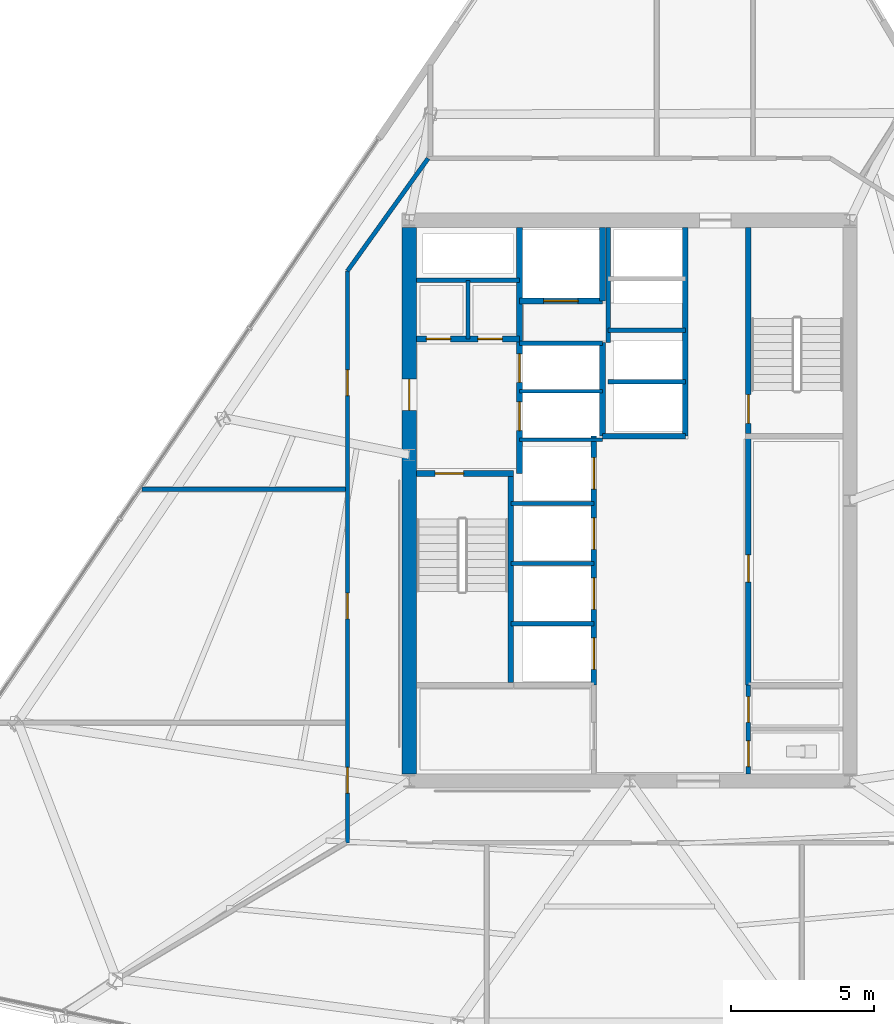
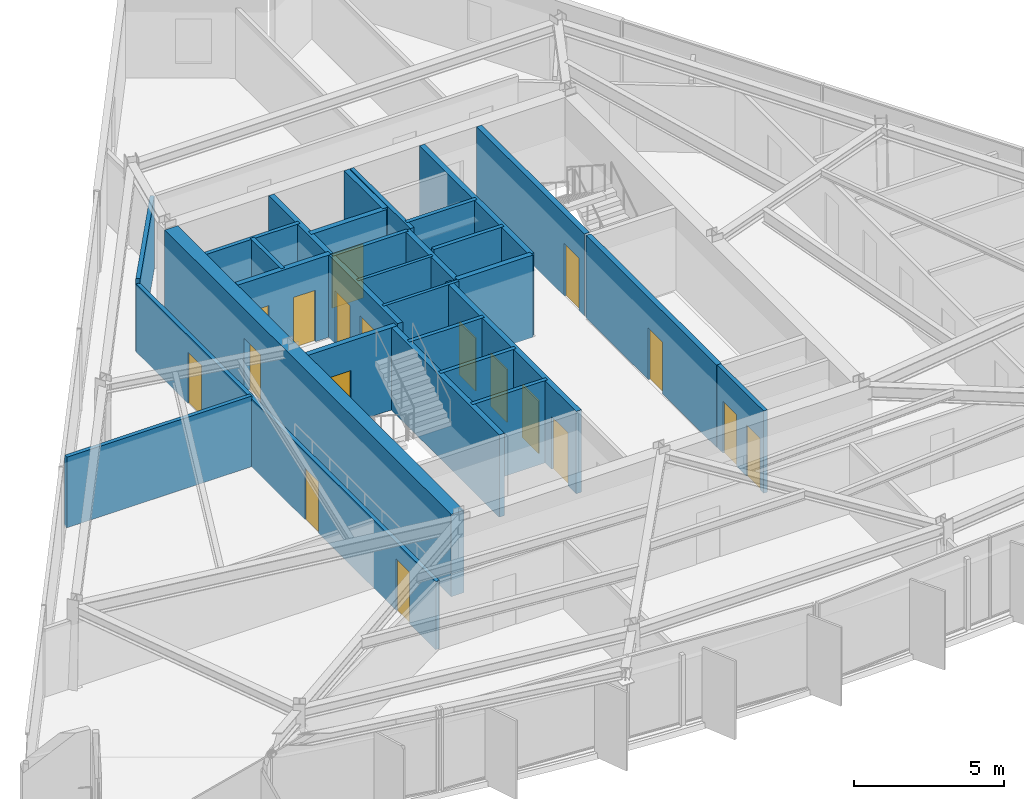
# One storey, part 8 of 15: 28 walls, 18 doors, 18 openings.
"""IFC4 building model written with IfcOpenShell, lengths in metres."""

from ifc_helpers import new_model, si_unit, direction, frame, frame_2d, origin, place, context, subcontext, project, spatial, rectangle, extrude, material, layer, layer_set, type_object, element, fill, save


model = new_model("IFC4")

# Units and contexts
model_context = context("Model", 3, precision=1e-05, world=origin(), true_north=direction((0.0, 1.0)))
body_context = subcontext(model_context, "Body", "Model", "MODEL_VIEW")
ifc_project = project(units=[si_unit("LENGTHUNIT", "METRE"), si_unit("AREAUNIT", "SQUARE_METRE"), si_unit("VOLUMEUNIT", "CUBIC_METRE"), si_unit("PLANEANGLEUNIT", "RADIAN"), si_unit("MASSUNIT", "GRAM", prefix="KILO")], contexts=[model_context])

# Site, building, storey
site_placement = place(None, origin())
site = spatial("IfcSite", under=ifc_project, at=site_placement, CompositionType="ELEMENT")
building_placement = place(site_placement, origin())
building = spatial("IfcBuilding", under=site, at=building_placement, Name="Savorim Split Tower", CompositionType="ELEMENT")
storey_placement = place(building_placement, frame((0.0, 0.0, 145.800048828125)))
storey = spatial("IfcBuildingStorey", under=building, at=storey_placement, Name="L38", CompositionType="ELEMENT", Elevation=145.800048828125)

# Wall, opening, door
ifc_material_1 = material(Name="Concrete C60/75", Category="concrete")
ifc_layer_1 = layer(ifc_material_1, 0.5)
ifc_layer_set_1 = layer_set([ifc_layer_1], Name="WAL-COR-SH500")
wall_type_1 = type_object("IfcWallType", Name="WAL-COR-SH500", PredefinedType="SHEAR", material=ifc_layer_set_1)
wall_1_placement = place(storey_placement, frame((-7.699951171875, -9.14990234375, 0.0), z_axis=(0.0, 0.0, 1.0), x_axis=(0.0, 1.0, 0.0)))
wall_1 = element("IfcWall", 1, at=wall_1_placement, inside=storey, type_object=wall_type_1, Name="L38 Offset Core West Shear Wall", PredefinedType="SHEAR", context=body_context, shape_type="SweptSolid", body=[
    extrude(rectangle(XDim=19.099853515625, YDim=0.5, at=frame_2d((9.5498046875, 0.0))), origin(), (0.0, 0.0, 1.0), 3.349853515625),
])
opening_1_placement = place(wall_1_placement, frame((12.699951171875, 0.0, 0.0)))
opening_1 = element("IfcOpeningElement", 2, at=opening_1_placement, cuts=wall_1, Name="Opening DI-03", PredefinedType="OPENING", context=body_context, shape_type="SweptSolid", body=[
    extrude(rectangle(XDim=1.10009765625, YDim=2.14990234375, at=frame_2d((0.550048828125, 1.074951171875))), frame((0.0, 0.260009765625, 0.0), z_axis=(0.0, -1.0, 0.0), x_axis=(1.0, 0.0, 0.0)), (0.0, 0.0, 1.0), 0.52001953125),
])
ifc_material_2 = material(Name="Timber Fire Door Leaf", Category="wood")
door_type_1 = type_object("IfcDoorType", Name="DOR-FIR-1100", OperationType="NOTDEFINED", PredefinedType="DOOR", material=ifc_material_2)
door_1_placement = place(opening_1_placement, origin())
door_1 = element("IfcDoor", 3, at=door_1_placement, inside=storey, type_object=door_type_1, Name="DOR-L38-COR-FFLOB - L38 Firefighting Lobby Corridor Door", OperationType="SINGLE_SWING_RIGHT", OverallHeight=2.14990234375, OverallWidth=1.10009765625, PredefinedType="DOOR", context=body_context, shape_type="SweptSolid", body=[
    extrude(rectangle(XDim=1.10009765625, YDim=2.14990234375, at=frame_2d((0.550048828125, 1.074951171875))), frame((0.0, 0.02490234375, 0.0), z_axis=(0.0, -1.0, 0.0), x_axis=(1.0, 0.0, 0.0)), (0.0, 0.0, 1.0), 0.050048828125),
])
fill(opening_1, door_1)

ifc_material_3 = material(Name="Concrete C50/60", Category="concrete")
ifc_layer_2 = layer(ifc_material_3, 0.199951171875)
ifc_layer_set_2 = layer_set([ifc_layer_2], Name="WAL-INT-RC200")
wall_type_2 = type_object("IfcWallType", Name="WAL-INT-RC200", PredefinedType="SOLIDWALL", material=ifc_layer_set_2)
wall_2_placement = place(storey_placement, frame((-7.449951171875, 1.35009765625, 0.0), z_axis=(0.0, 0.0, 1.0), x_axis=(1.0, 0.0, 0.0)))
wall_2 = element("IfcWall", 4, at=wall_2_placement, inside=storey, type_object=wall_type_2, Name="L38 Structural Shaft Wall W-L38-CR01", PredefinedType="SOLIDWALL", context=body_context, shape_type="SweptSolid", body=[
    extrude(rectangle(XDim=3.39990234375, YDim=0.199951171875, at=frame_2d((1.699951171875, 0.0))), origin(), (0.0, 0.0, 1.0), 3.349853515625),
])
opening_2_placement = place(wall_2_placement, frame((0.64990234375, 0.0, 0.0)))
opening_2 = element("IfcOpeningElement", 5, at=opening_2_placement, cuts=wall_2, Name="Opening DI-04", PredefinedType="OPENING", context=body_context, shape_type="SweptSolid", body=[
    extrude(rectangle(XDim=1.0, YDim=2.14990234375, at=frame_2d((0.5, 1.074951171875))), frame((0.0, 0.10986328125, 0.0), z_axis=(0.0, -1.0, 0.0), x_axis=(1.0, 0.0, 0.0)), (0.0, 0.0, 1.0), 0.219970703125),
])
door_type_2 = type_object("IfcDoorType", Name="DOR-FIR-1000", OperationType="NOTDEFINED", PredefinedType="DOOR", material=ifc_material_2)
door_2_placement = place(opening_2_placement, origin())
door_2 = element("IfcDoor", 6, at=door_2_placement, inside=storey, type_object=door_type_2, Name="DR-L38-ST1 - L38 Stair ST-1 Enclosure Door", OperationType="SINGLE_SWING_LEFT", OverallHeight=2.14990234375, OverallWidth=1.0, PredefinedType="DOOR", context=body_context, shape_type="SweptSolid", body=[
    extrude(rectangle(XDim=1.0, YDim=2.14990234375, at=frame_2d((0.5, 1.074951171875))), frame((0.0, 0.02490234375, 0.0), z_axis=(0.0, -1.0, 0.0), x_axis=(1.0, 0.0, 0.0)), (0.0, 0.0, 1.0), 0.050048828125),
])
fill(opening_2, door_2)

# Wall
wall_3_placement = place(storey_placement, frame((-4.14990234375, -5.949951171875, 0.0), z_axis=(0.0, 0.0, 1.0), x_axis=(0.0, 1.0, 0.0)))
element("IfcWall", 7, at=wall_3_placement, inside=storey, type_object=wall_type_2, Name="L38 Structural Shaft Wall W-L38-CR02", PredefinedType="SOLIDWALL", context=body_context, shape_type="SweptSolid", body=[
    extrude(rectangle(XDim=7.199951171875, YDim=0.199951171875, at=frame_2d((3.60009765625, 0.0))), origin(), (0.0, 0.0, 1.0), 3.349853515625),
])

# Wall, openings, doors
wall_4_placement = place(storey_placement, frame((-3.85009765625, 1.35009765625, 0.0), z_axis=(0.0, 0.0, 1.0), x_axis=(0.0, 1.0, 0.0)))
wall_4 = element("IfcWall", 8, at=wall_4_placement, inside=storey, type_object=wall_type_2, Name="L38 Partition W-L38-CR03", PredefinedType="SOLIDWALL", context=body_context, shape_type="SweptSolid", body=[
    extrude(rectangle(XDim=8.594970703125, YDim=0.199951171875, at=frame_2d((4.29736328125, 0.0))), origin(), (0.0, 0.0, 1.0), 3.349853515625),
])
opening_3_placement = place(wall_4_placement, frame((1.5, 0.0, 0.0)))
opening_3 = element("IfcOpeningElement", 9, at=opening_3_placement, cuts=wall_4, Name="Opening LD-FFL", PredefinedType="OPENING", context=body_context, shape_type="SweptSolid", body=[
    extrude(rectangle(XDim=1.0, YDim=2.14990234375, at=frame_2d((0.5, 1.074951171875))), frame((0.0, 0.10986328125, 0.0), z_axis=(0.0, -1.0, 0.0), x_axis=(1.0, 0.0, 0.0)), (0.0, 0.0, 1.0), 0.219970703125),
])
opening_4_placement = place(wall_4_placement, frame((3.179931640625, 0.0, 0.0)))
opening_4 = element("IfcOpeningElement", 10, at=opening_4_placement, cuts=wall_4, Name="Opening LD-FFL", PredefinedType="OPENING", context=body_context, shape_type="SweptSolid", body=[
    extrude(rectangle(XDim=1.0, YDim=2.14990234375, at=frame_2d((0.5, 1.074951171875))), frame((0.0, 0.10986328125, 0.0), z_axis=(0.0, -1.0, 0.0), x_axis=(1.0, 0.0, 0.0)), (0.0, 0.0, 1.0), 0.219970703125),
])
ifc_material_4 = material(Name="Charcoal Anodised Aluminium", Category="aluminium")
door_type_3 = type_object("IfcDoorType", Name="DOR-SLD-LD1000", OperationType="NOTDEFINED", PredefinedType="DOOR", material=ifc_material_4)
door_3_placement = place(opening_3_placement, origin())
door_3 = element("IfcDoor", 11, at=door_3_placement, inside=storey, type_object=door_type_3, Name="DR-L38-LD-FFL1 - L38 Firefighting Lift FFL-1 Sliding Landing Door", OperationType="DOUBLE_DOOR_SLIDING", OverallHeight=2.14990234375, OverallWidth=1.0, PredefinedType="DOOR", context=body_context, shape_type="SweptSolid", body=[
    extrude(rectangle(XDim=1.0, YDim=2.14990234375, at=frame_2d((0.5, 1.074951171875))), frame((0.0, 0.02490234375, 0.0), z_axis=(0.0, -1.0, 0.0), x_axis=(1.0, 0.0, 0.0)), (0.0, 0.0, 1.0), 0.050048828125),
])
fill(opening_3, door_3)
door_4_placement = place(opening_4_placement, origin())
door_4 = element("IfcDoor", 12, at=door_4_placement, inside=storey, type_object=door_type_3, Name="DR-L38-LD-FFL2 - L38 Firefighting Lift FFL-2 Sliding Landing Door", OperationType="DOUBLE_DOOR_SLIDING", OverallHeight=2.14990234375, OverallWidth=1.0, PredefinedType="DOOR", context=body_context, shape_type="SweptSolid", body=[
    extrude(rectangle(XDim=1.0, YDim=2.14990234375, at=frame_2d((0.5, 1.074951171875))), frame((0.0, 0.02490234375, 0.0), z_axis=(0.0, -1.0, 0.0), x_axis=(1.0, 0.0, 0.0)), (0.0, 0.0, 1.0), 0.050048828125),
])
fill(opening_4, door_4)

wall_5_placement = place(storey_placement, frame((-7.445068359375, 6.050048828125, 0.0), z_axis=(0.0, 0.0, 1.0), x_axis=(1.0, 0.0, 0.0)))
wall_5 = element("IfcWall", 13, at=wall_5_placement, inside=storey, type_object=wall_type_2, Name="L38 Partition W-L38-CR04", PredefinedType="SOLIDWALL", context=body_context, shape_type="SweptSolid", body=[
    extrude(rectangle(XDim=3.594970703125, YDim=0.199951171875, at=frame_2d((1.79736328125, 0.0))), origin(), (0.0, 0.0, 1.0), 3.349853515625),
])
opening_5_placement = place(wall_5_placement, frame((0.344970703125, 0.0, 0.0)))
opening_5 = element("IfcOpeningElement", 14, at=opening_5_placement, cuts=wall_5, Name="Opening DI-12", PredefinedType="OPENING", context=body_context, shape_type="SweptSolid", body=[
    extrude(rectangle(XDim=0.85009765625, YDim=2.10009765625, at=frame_2d((0.425048828125, 1.050048828125))), frame((0.0, 0.10986328125, 0.0), z_axis=(0.0, -1.0, 0.0), x_axis=(1.0, 0.0, 0.0)), (0.0, 0.0, 1.0), 0.219970703125),
])
opening_6_placement = place(wall_5_placement, frame((2.14501953125, 0.0, 0.0)))
opening_6 = element("IfcOpeningElement", 15, at=opening_6_placement, cuts=wall_5, Name="Opening DI-12", PredefinedType="OPENING", context=body_context, shape_type="SweptSolid", body=[
    extrude(rectangle(XDim=0.85009765625, YDim=2.10009765625, at=frame_2d((0.425048828125, 1.050048828125))), frame((0.0, 0.10986328125, 0.0), z_axis=(0.0, -1.0, 0.0), x_axis=(1.0, 0.0, 0.0)), (0.0, 0.0, 1.0), 0.219970703125),
])
ifc_material_5 = material(Name="Galvanised Painted Steel Balustrade", Category="steel")
door_type_4 = type_object("IfcDoorType", Name="DOR-RIS-850", OperationType="NOTDEFINED", PredefinedType="DOOR", material=ifc_material_5)
door_5_placement = place(opening_5_placement, origin())
door_5 = element("IfcDoor", 16, at=door_5_placement, inside=storey, type_object=door_type_4, Name="DR-L38-ELR - L38 Electrical Riser Access Door", OperationType="SINGLE_SWING_RIGHT", OverallHeight=2.10009765625, OverallWidth=0.85009765625, PredefinedType="DOOR", context=body_context, shape_type="SweptSolid", body=[
    extrude(rectangle(XDim=0.85009765625, YDim=2.10009765625, at=frame_2d((0.425048828125, 1.050048828125))), frame((0.0, 0.02490234375, 0.0), z_axis=(0.0, -1.0, 0.0), x_axis=(1.0, 0.0, 0.0)), (0.0, 0.0, 1.0), 0.050048828125),
])
fill(opening_5, door_5)
door_6_placement = place(opening_6_placement, origin())
door_6 = element("IfcDoor", 17, at=door_6_placement, inside=storey, type_object=door_type_4, Name="DR-L38-TLR - L38 Telecom Riser Access Door", OperationType="SINGLE_SWING_LEFT", OverallHeight=2.10009765625, OverallWidth=0.85009765625, PredefinedType="DOOR", context=body_context, shape_type="SweptSolid", body=[
    extrude(rectangle(XDim=0.85009765625, YDim=2.10009765625, at=frame_2d((0.425048828125, 1.050048828125))), frame((0.0, 0.02490234375, 0.0), z_axis=(0.0, -1.0, 0.0), x_axis=(1.0, 0.0, 0.0)), (0.0, 0.0, 1.0), 0.050048828125),
])
fill(opening_6, door_6)

# Wall, opening, door
wall_6_placement = place(storey_placement, frame((4.14990234375, 2.75, 0.0), z_axis=(0.0, 0.0, 1.0), x_axis=(0.0, 1.0, 0.0)))
wall_6 = element("IfcWall", 18, at=wall_6_placement, inside=storey, type_object=wall_type_2, Name="L38 Structural Shaft Wall W-L38-CR07", PredefinedType="SOLIDWALL", context=body_context, shape_type="SweptSolid", body=[
    extrude(rectangle(XDim=7.199951171875, YDim=0.199951171875, at=frame_2d((3.60009765625, 0.0))), origin(), (0.0, 0.0, 1.0), 3.349853515625),
])
opening_7_placement = place(wall_6_placement, frame((0.35009765625, 0.0, 0.0)))
opening_7 = element("IfcOpeningElement", 19, at=opening_7_placement, cuts=wall_6, Name="Opening DI-04", PredefinedType="OPENING", context=body_context, shape_type="SweptSolid", body=[
    extrude(rectangle(XDim=1.0, YDim=2.14990234375, at=frame_2d((0.5, 1.074951171875))), frame((0.0, 0.10986328125, 0.0), z_axis=(0.0, -1.0, 0.0), x_axis=(1.0, 0.0, 0.0)), (0.0, 0.0, 1.0), 0.219970703125),
])
door_7_placement = place(opening_7_placement, origin())
door_7 = element("IfcDoor", 20, at=door_7_placement, inside=storey, type_object=door_type_2, Name="DR-L38-ST2 - L38 Stair ST-2 Enclosure Door", OperationType="SINGLE_SWING_RIGHT", OverallHeight=2.14990234375, OverallWidth=1.0, PredefinedType="DOOR", context=body_context, shape_type="SweptSolid", body=[
    extrude(rectangle(XDim=1.0, YDim=2.14990234375, at=frame_2d((0.5, 1.074951171875))), frame((0.0, 0.02490234375, 0.0), z_axis=(0.0, -1.0, 0.0), x_axis=(1.0, 0.0, 0.0)), (0.0, 0.0, 1.0), 0.050048828125),
])
fill(opening_7, door_7)

# Wall
wall_7_placement = place(storey_placement, frame((-0.949951171875, 2.64990234375, 0.0), z_axis=(0.0, 0.0, 1.0), x_axis=(0.0, 1.0, 0.0)))
element("IfcWall", 21, at=wall_7_placement, inside=storey, type_object=wall_type_2, Name="L38 Partition W-L38-FFLW", PredefinedType="SOLIDWALL", context=body_context, shape_type="SweptSolid", body=[
    extrude(rectangle(XDim=3.27001953125, YDim=0.199951171875, at=frame_2d((1.635009765625, 0.0))), origin(), (0.0, 0.0, 1.0), 3.349853515625),
])

# Wall, opening, door
wall_8_placement = place(storey_placement, frame((-3.85009765625, 7.3798828125, 0.0), z_axis=(0.0, 0.0, 1.0), x_axis=(1.0, 0.0, 0.0)))
wall_8 = element("IfcWall", 22, at=wall_8_placement, inside=storey, type_object=wall_type_2, Name="L38 Partition W-L38-SVLS", PredefinedType="SOLIDWALL", context=body_context, shape_type="SweptSolid", body=[
    extrude(rectangle(XDim=2.900146484375, YDim=0.199951171875, at=frame_2d((1.4501953125, 0.0))), origin(), (0.0, 0.0, 1.0), 3.349853515625),
])
opening_8_placement = place(wall_8_placement, frame((0.85009765625, 0.0, 0.0)))
opening_8 = element("IfcOpeningElement", 23, at=opening_8_placement, cuts=wall_8, Name="Opening LD-SV", PredefinedType="OPENING", context=body_context, shape_type="SweptSolid", body=[
    extrude(rectangle(XDim=1.199951171875, YDim=2.199951171875, at=frame_2d((0.60009765625, 1.10009765625))), frame((0.0, 0.10986328125, 0.0), z_axis=(0.0, -1.0, 0.0), x_axis=(1.0, 0.0, 0.0)), (0.0, 0.0, 1.0), 0.219970703125),
])
door_type_5 = type_object("IfcDoorType", Name="DOR-SLD-SV1200", OperationType="NOTDEFINED", PredefinedType="DOOR", material=ifc_material_4)
door_8_placement = place(opening_8_placement, origin())
door_8 = element("IfcDoor", 24, at=door_8_placement, inside=storey, type_object=door_type_5, Name="DR-L38-LD-SVL1 - L38 Service Lift SVL-1 Sliding Landing Door", OperationType="DOUBLE_DOOR_SLIDING", OverallHeight=2.199951171875, OverallWidth=1.199951171875, PredefinedType="DOOR", context=body_context, shape_type="SweptSolid", body=[
    extrude(rectangle(XDim=1.199951171875, YDim=2.199951171875, at=frame_2d((0.60009765625, 1.10009765625))), frame((0.0, 0.02490234375, 0.0), z_axis=(0.0, -1.0, 0.0), x_axis=(1.0, 0.0, 0.0)), (0.0, 0.0, 1.0), 0.050048828125),
])
fill(opening_8, door_8)

# Wall
wall_9_placement = place(storey_placement, frame((-0.949951171875, 7.3798828125, 0.0), z_axis=(0.0, 0.0, 1.0), x_axis=(0.0, 1.0, 0.0)))
element("IfcWall", 25, at=wall_9_placement, inside=storey, type_object=wall_type_2, Name="L38 Partition W-L38-SVLE", PredefinedType="SOLIDWALL", context=body_context, shape_type="SweptSolid", body=[
    extrude(rectangle(XDim=2.565185546875, YDim=0.199951171875, at=frame_2d((1.28271484375, 0.0))), origin(), (0.0, 0.0, 1.0), 3.349853515625),
])

# Wall, opening, door
wall_10_placement = place(storey_placement, frame((4.14990234375, -6.050048828125, 0.0), z_axis=(0.0, 0.0, 1.0), x_axis=(0.0, 1.0, 0.0)))
wall_10 = element("IfcWall", 26, at=wall_10_placement, inside=storey, type_object=wall_type_2, Name="L38 Partition W-L38-B1FRONT", PredefinedType="SOLIDWALL", context=body_context, shape_type="SweptSolid", body=[
    extrude(rectangle(XDim=8.699951171875, YDim=0.199951171875, at=frame_2d((4.35009765625, 0.0))), origin(), (0.0, 0.0, 1.0), 3.349853515625),
])
opening_9_placement = place(wall_10_placement, frame((3.60009765625, 0.0, 0.0)))
opening_9 = element("IfcOpeningElement", 27, at=opening_9_placement, cuts=wall_10, Name="Opening DI-05", PredefinedType="OPENING", context=body_context, shape_type="SweptSolid", body=[
    extrude(rectangle(XDim=0.949951171875, YDim=2.10009765625, at=frame_2d((0.47509765625, 1.050048828125))), frame((0.0, 0.10986328125, 0.0), z_axis=(0.0, -1.0, 0.0), x_axis=(1.0, 0.0, 0.0)), (0.0, 0.0, 1.0), 0.219970703125),
])
door_type_6 = type_object("IfcDoorType", Name="DOR-FIR-950", OperationType="NOTDEFINED", PredefinedType="DOOR", material=ifc_material_2)
door_9_placement = place(opening_9_placement, origin())
door_9 = element("IfcDoor", 28, at=door_9_placement, inside=storey, type_object=door_type_6, Name="DR-L38-LV7B1 - L38 Shared Pantry and Linen Room Door", OperationType="SINGLE_SWING_RIGHT", OverallHeight=2.10009765625, OverallWidth=0.949951171875, PredefinedType="DOOR", context=body_context, shape_type="SweptSolid", body=[
    extrude(rectangle(XDim=0.949951171875, YDim=2.10009765625, at=frame_2d((0.47509765625, 1.050048828125))), frame((0.0, 0.02490234375, 0.0), z_axis=(0.0, -1.0, 0.0), x_axis=(1.0, 0.0, 0.0)), (0.0, 0.0, 1.0), 0.050048828125),
])
fill(opening_9, door_9)

# Wall, openings, doors
wall_11_placement = place(storey_placement, frame((-1.25, -6.050048828125, 0.0), z_axis=(0.0, 0.0, 1.0), x_axis=(0.0, 1.0, 0.0)))
wall_11 = element("IfcWall", 29, at=wall_11_placement, inside=storey, type_object=wall_type_2, Name="L38 Partition W-L38-B2FRONT", PredefinedType="SOLIDWALL", context=body_context, shape_type="SweptSolid", body=[
    extrude(rectangle(XDim=8.699951171875, YDim=0.199951171875, at=frame_2d((4.35009765625, 0.0))), origin(), (0.0, 0.0, 1.0), 3.349853515625),
])
opening_10_placement = place(wall_11_placement, frame((0.550048828125, 0.0, 0.0)))
opening_10 = element("IfcOpeningElement", 30, at=opening_10_placement, cuts=wall_11, Name="Opening LD-02", PredefinedType="OPENING", context=body_context, shape_type="SweptSolid", body=[
    extrude(rectangle(XDim=1.10009765625, YDim=2.14990234375, at=frame_2d((0.550048828125, 1.074951171875))), frame((0.0, 0.10986328125, 0.0), z_axis=(0.0, -1.0, 0.0), x_axis=(1.0, 0.0, 0.0)), (0.0, 0.0, 1.0), 0.219970703125),
])
opening_11_placement = place(wall_11_placement, frame((2.64990234375, 0.0, 0.0)))
opening_11 = element("IfcOpeningElement", 31, at=opening_11_placement, cuts=wall_11, Name="Opening LD-02", PredefinedType="OPENING", context=body_context, shape_type="SweptSolid", body=[
    extrude(rectangle(XDim=1.10009765625, YDim=2.14990234375, at=frame_2d((0.550048828125, 1.074951171875))), frame((0.0, 0.10986328125, 0.0), z_axis=(0.0, -1.0, 0.0), x_axis=(1.0, 0.0, 0.0)), (0.0, 0.0, 1.0), 0.219970703125),
])
opening_12_placement = place(wall_11_placement, frame((4.75, 0.0, 0.0)))
opening_12 = element("IfcOpeningElement", 32, at=opening_12_placement, cuts=wall_11, Name="Opening LD-02", PredefinedType="OPENING", context=body_context, shape_type="SweptSolid", body=[
    extrude(rectangle(XDim=1.10009765625, YDim=2.14990234375, at=frame_2d((0.550048828125, 1.074951171875))), frame((0.0, 0.10986328125, 0.0), z_axis=(0.0, -1.0, 0.0), x_axis=(1.0, 0.0, 0.0)), (0.0, 0.0, 1.0), 0.219970703125),
])
opening_13_placement = place(wall_11_placement, frame((6.85009765625, 0.0, 0.0)))
opening_13 = element("IfcOpeningElement", 33, at=opening_13_placement, cuts=wall_11, Name="Opening LD-02", PredefinedType="OPENING", context=body_context, shape_type="SweptSolid", body=[
    extrude(rectangle(XDim=1.10009765625, YDim=2.14990234375, at=frame_2d((0.550048828125, 1.074951171875))), frame((0.0, 0.10986328125, 0.0), z_axis=(0.0, -1.0, 0.0), x_axis=(1.0, 0.0, 0.0)), (0.0, 0.0, 1.0), 0.219970703125),
])
door_type_7 = type_object("IfcDoorType", Name="DOR-SLD-LDM1100", OperationType="NOTDEFINED", PredefinedType="DOOR", material=ifc_material_4)
door_10_placement = place(opening_10_placement, origin())
door_10 = element("IfcDoor", 34, at=door_10_placement, inside=storey, type_object=door_type_7, Name="DR-L38-LD-PLM1 - L38 Lift PL-M1 Sliding Landing Door", OperationType="DOUBLE_DOOR_SLIDING", OverallHeight=2.14990234375, OverallWidth=1.10009765625, PredefinedType="DOOR", context=body_context, shape_type="SweptSolid", body=[
    extrude(rectangle(XDim=1.10009765625, YDim=2.14990234375, at=frame_2d((0.550048828125, 1.074951171875))), frame((0.0, 0.02490234375, 0.0), z_axis=(0.0, -1.0, 0.0), x_axis=(1.0, 0.0, 0.0)), (0.0, 0.0, 1.0), 0.050048828125),
])
fill(opening_10, door_10)
door_11_placement = place(opening_11_placement, origin())
door_11 = element("IfcDoor", 35, at=door_11_placement, inside=storey, type_object=door_type_7, Name="DR-L38-LD-PLM2 - L38 Lift PL-M2 Sliding Landing Door", OperationType="DOUBLE_DOOR_SLIDING", OverallHeight=2.14990234375, OverallWidth=1.10009765625, PredefinedType="DOOR", context=body_context, shape_type="SweptSolid", body=[
    extrude(rectangle(XDim=1.10009765625, YDim=2.14990234375, at=frame_2d((0.550048828125, 1.074951171875))), frame((0.0, 0.02490234375, 0.0), z_axis=(0.0, -1.0, 0.0), x_axis=(1.0, 0.0, 0.0)), (0.0, 0.0, 1.0), 0.050048828125),
])
fill(opening_11, door_11)
door_12_placement = place(opening_12_placement, origin())
door_12 = element("IfcDoor", 36, at=door_12_placement, inside=storey, type_object=door_type_7, Name="DR-L38-LD-PLM3 - L38 Lift PL-M3 Sliding Landing Door", OperationType="DOUBLE_DOOR_SLIDING", OverallHeight=2.14990234375, OverallWidth=1.10009765625, PredefinedType="DOOR", context=body_context, shape_type="SweptSolid", body=[
    extrude(rectangle(XDim=1.10009765625, YDim=2.14990234375, at=frame_2d((0.550048828125, 1.074951171875))), frame((0.0, 0.02490234375, 0.0), z_axis=(0.0, -1.0, 0.0), x_axis=(1.0, 0.0, 0.0)), (0.0, 0.0, 1.0), 0.050048828125),
])
fill(opening_12, door_12)
door_13_placement = place(opening_13_placement, origin())
door_13 = element("IfcDoor", 37, at=door_13_placement, inside=storey, type_object=door_type_7, Name="DR-L38-LD-PLM4 - L38 Lift PL-M4 Sliding Landing Door", OperationType="DOUBLE_DOOR_SLIDING", OverallHeight=2.14990234375, OverallWidth=1.10009765625, PredefinedType="DOOR", context=body_context, shape_type="SweptSolid", body=[
    extrude(rectangle(XDim=1.10009765625, YDim=2.14990234375, at=frame_2d((0.550048828125, 1.074951171875))), frame((0.0, 0.02490234375, 0.0), z_axis=(0.0, -1.0, 0.0), x_axis=(1.0, 0.0, 0.0)), (0.0, 0.0, 1.0), 0.050048828125),
])
fill(opening_13, door_13)

# Walls
wall_12_placement = place(storey_placement, frame((1.949951171875, 2.64990234375, 0.0), z_axis=(0.0, 0.0, 1.0), x_axis=(0.0, 1.0, 0.0)))
element("IfcWall", 38, at=wall_12_placement, inside=storey, type_object=wall_type_2, Name="L38 Partition W-L38-B3FRONT", PredefinedType="SOLIDWALL", context=body_context, shape_type="SweptSolid", body=[
    extrude(rectangle(XDim=7.295166015625, YDim=0.199951171875, at=frame_2d((3.6474609375, 0.0))), origin(), (0.0, 0.0, 1.0), 3.349853515625),
])
wall_13_placement = place(storey_placement, frame((-0.949951171875, 2.64990234375, 0.0), z_axis=(0.0, 0.0, 1.0), x_axis=(1.0, 0.0, 0.0)))
element("IfcWall", 39, at=wall_13_placement, inside=storey, type_object=wall_type_2, Name="L38 Partition W-L38-B3SOUTH", PredefinedType="SOLIDWALL", context=body_context, shape_type="SweptSolid", body=[
    extrude(rectangle(XDim=2.89990234375, YDim=0.199951171875, at=frame_2d((1.449951171875, 0.0))), origin(), (0.0, 0.0, 1.0), 3.349853515625),
])
ifc_material_6 = material(Name="Acoustic Gypsum Partition Board")
ifc_layer_3 = layer(ifc_material_6, 0.1201171875)
ifc_layer_set_3 = layer_set([ifc_layer_3], Name="WAL-PAR-120")
wall_type_3 = type_object("IfcWallType", Name="WAL-PAR-120", PredefinedType="PARTITIONING", material=ifc_layer_set_3)
for number, where, z_axis, x_axis, name in (
    (40, (-3.85009765625, 2.52001953125, 0.0), (0.0, 0.0, 1.0), (1.0, 0.0, 0.0), "L38 Partition W-L38-FFLD0"),
    (41, (-3.85009765625, 4.219970703125, 0.0), (0.0, 0.0, 1.0), (1.0, 0.0, 0.0), "L38 Partition W-L38-FFLD1"),
):
    element("IfcWall", number, at=place(storey_placement, frame(where, z_axis=z_axis, x_axis=x_axis)), inside=storey, type_object=wall_type_3, Name=name, PredefinedType="PARTITIONING", context=body_context, shape_type="SweptSolid", body=[
        extrude(rectangle(XDim=2.900146484375, YDim=0.1201171875, at=frame_2d((1.4501953125, 0.0))), origin(), (0.0, 0.0, 1.0), 3.349853515625),
    ])
ifc_layer_4 = layer(ifc_material_6, 0.14990234375)
ifc_layer_set_4 = layer_set([ifc_layer_4], Name="WAL-PAR-150")
wall_type_4 = type_object("IfcWallType", Name="WAL-PAR-150", PredefinedType="PARTITIONING", material=ifc_layer_set_4)
wall_14_placement = place(storey_placement, frame((-7.445068359375, 8.10009765625, 0.0), z_axis=(0.0, 0.0, 1.0), x_axis=(1.0, 0.0, 0.0)))
element("IfcWall", 42, at=wall_14_placement, inside=storey, type_object=wall_type_4, Name="L38 Partition W-L38-CR05", PredefinedType="PARTITIONING", context=body_context, shape_type="SweptSolid", body=[
    extrude(rectangle(XDim=3.594970703125, YDim=0.14990234375, at=frame_2d((1.79736328125, 0.0))), origin(), (0.0, 0.0, 1.0), 3.349853515625),
])
wall_15_placement = place(storey_placement, frame((-5.64990234375, 6.050048828125, 0.0), z_axis=(0.0, 0.0, 1.0), x_axis=(0.0, 1.0, 0.0)))
element("IfcWall", 43, at=wall_15_placement, inside=storey, type_object=wall_type_4, Name="L38 Partition W-L38-CR06", PredefinedType="PARTITIONING", context=body_context, shape_type="SweptSolid", body=[
    extrude(rectangle(XDim=2.050048828125, YDim=0.14990234375, at=frame_2d((1.02490234375, 0.0))), origin(), (0.0, 0.0, 1.0), 3.349853515625),
])
wall_16_placement = place(storey_placement, frame((-3.85009765625, 5.89990234375, 0.0), z_axis=(0.0, 0.0, 1.0), x_axis=(1.0, 0.0, 0.0)))
element("IfcWall", 44, at=wall_16_placement, inside=storey, type_object=wall_type_4, Name="L38 Partition W-L38-FFLD2", PredefinedType="PARTITIONING", context=body_context, shape_type="SweptSolid", body=[
    extrude(rectangle(XDim=2.900146484375, YDim=0.14990234375, at=frame_2d((1.4501953125, 0.0))), origin(), (0.0, 0.0, 1.0), 3.349853515625),
])
for number, where, z_axis, x_axis, name in (
    (45, (-4.14990234375, -3.89990234375, 0.0), (0.0, 0.0, 1.0), (1.0, 0.0, 0.0), "L38 Partition W-L38-B2DIV1"),
    (46, (-4.14990234375, -1.800048828125, 0.0), (0.0, 0.0, 1.0), (1.0, 0.0, 0.0), "L38 Partition W-L38-B2DIV2"),
    (47, (-4.14990234375, 0.300048828125, 0.0), (0.0, 0.0, 1.0), (1.0, 0.0, 0.0), "L38 Partition W-L38-B2DIV3"),
):
    element("IfcWall", number, at=place(storey_placement, frame(where, z_axis=z_axis, x_axis=x_axis)), inside=storey, type_object=wall_type_4, Name=name, PredefinedType="PARTITIONING", context=body_context, shape_type="SweptSolid", body=[
        extrude(rectangle(XDim=2.89990234375, YDim=0.14990234375, at=frame_2d((1.449951171875, 0.0))), origin(), (0.0, 0.0, 1.0), 3.349853515625),
    ])
wall_17_placement = place(storey_placement, frame((-0.75, 5.919921875, 0.0), z_axis=(0.0, 0.0, 1.0), x_axis=(0.0, 1.0, 0.0)))
element("IfcWall", 48, at=wall_17_placement, inside=storey, type_object=wall_type_4, Name="L38 Partition W-L38-B3WEST", PredefinedType="PARTITIONING", context=body_context, shape_type="SweptSolid", body=[
    extrude(rectangle(XDim=4.025146484375, YDim=0.14990234375, at=frame_2d((2.0126953125, 0.0))), origin(), (0.0, 0.0, 1.0), 3.349853515625),
])
for number, where, z_axis, x_axis, name in (
    (49, (-0.75, 4.550048828125, 0.0), (0.0, 0.0, 1.0), (1.0, 0.0, 0.0), "L38 Partition W-L38-B3DIV1"),
    (50, (-0.75, 6.35009765625, 0.0), (0.0, 0.0, 1.0), (1.0, 0.0, 0.0), "L38 Partition W-L38-B3DIV2"),
):
    element("IfcWall", number, at=place(storey_placement, frame(where, z_axis=z_axis, x_axis=x_axis)), inside=storey, type_object=wall_type_4, Name=name, PredefinedType="PARTITIONING", context=body_context, shape_type="SweptSolid", body=[
        extrude(rectangle(XDim=2.699951171875, YDim=0.14990234375, at=frame_2d((1.35009765625, 0.0))), origin(), (0.0, 0.0, 1.0), 3.349853515625),
    ])

# Wall, openings, doors
wall_18_placement = place(storey_placement, frame((4.14990234375, -9.14501953125, 0.0), z_axis=(0.0, 0.0, 1.0), x_axis=(0.0, 1.0, 0.0)))
wall_18 = element("IfcWall", 51, at=wall_18_placement, inside=storey, type_object=wall_type_4, Name="L38 Partition W-L38-KLOB-E", PredefinedType="PARTITIONING", context=body_context, shape_type="SweptSolid", body=[
    extrude(rectangle(XDim=3.094970703125, YDim=0.14990234375, at=frame_2d((1.54736328125, 0.0))), origin(), (0.0, 0.0, 1.0), 3.349853515625),
])
opening_14_placement = place(wall_18_placement, frame((0.2451171875, 0.0, 0.0)))
opening_14 = element("IfcOpeningElement", 52, at=opening_14_placement, cuts=wall_18, Name="Opening DI-11", PredefinedType="OPENING", context=body_context, shape_type="SweptSolid", body=[
    extrude(rectangle(XDim=0.89990234375, YDim=2.10009765625, at=frame_2d((0.449951171875, 1.050048828125))), frame((0.0, 0.0849609375, 0.0), z_axis=(0.0, -1.0, 0.0), x_axis=(1.0, 0.0, 0.0)), (0.0, 0.0, 1.0), 0.169921875),
])
opening_15_placement = place(wall_18_placement, frame((1.794921875, 0.0, 0.0)))
opening_15 = element("IfcOpeningElement", 53, at=opening_15_placement, cuts=wall_18, Name="Opening DI-06", PredefinedType="OPENING", context=body_context, shape_type="SweptSolid", body=[
    extrude(rectangle(XDim=0.89990234375, YDim=2.10009765625, at=frame_2d((0.449951171875, 1.050048828125))), frame((0.0, 0.0849609375, 0.0), z_axis=(0.0, -1.0, 0.0), x_axis=(1.0, 0.0, 0.0)), (0.0, 0.0, 1.0), 0.169921875),
])
door_type_8 = type_object("IfcDoorType", Name="DOR-FIR-900", OperationType="NOTDEFINED", PredefinedType="DOOR", material=ifc_material_2)
door_14_placement = place(opening_15_placement, origin())
door_14 = element("IfcDoor", 54, at=door_14_placement, inside=storey, type_object=door_type_8, Name="DR-L38-K3LCK - L38 Cleaning Store Door", OperationType="SINGLE_SWING_LEFT", OverallHeight=2.10009765625, OverallWidth=0.89990234375, PredefinedType="DOOR", context=body_context, shape_type="SweptSolid", body=[
    extrude(rectangle(XDim=0.89990234375, YDim=2.10009765625, at=frame_2d((0.449951171875, 1.050048828125))), frame((0.0, 0.02490234375, 0.0), z_axis=(0.0, -1.0, 0.0), x_axis=(1.0, 0.0, 0.0)), (0.0, 0.0, 1.0), 0.050048828125),
])
fill(opening_15, door_14)
ifc_material_7 = material(Name="Oak Veneer Acoustic Door")
door_type_9 = type_object("IfcDoorType", Name="DOR-WC-900", OperationType="NOTDEFINED", PredefinedType="DOOR", material=ifc_material_7)
door_15_placement = place(opening_14_placement, origin())
door_15 = element("IfcDoor", 55, at=door_15_placement, inside=storey, type_object=door_type_9, Name="DR-L38-K3AWC - L38 Core Accessible WC Door", OperationType="SINGLE_SWING_RIGHT", OverallHeight=2.10009765625, OverallWidth=0.89990234375, PredefinedType="DOOR", context=body_context, shape_type="SweptSolid", body=[
    extrude(rectangle(XDim=0.89990234375, YDim=2.10009765625, at=frame_2d((0.449951171875, 1.050048828125))), frame((0.0, 0.02490234375, 0.0), z_axis=(0.0, -1.0, 0.0), x_axis=(1.0, 0.0, 0.0)), (0.0, 0.0, 1.0), 0.050048828125),
])
fill(opening_14, door_15)

wall_19_placement = place(storey_placement, frame((-9.860107421875, -11.56005859375, 0.0), z_axis=(0.0, 0.0, 1.0), x_axis=(0.0, 1.0, 0.0)))
wall_19 = element("IfcWall", 56, at=wall_19_placement, inside=storey, type_object=wall_type_4, Name="L38 Partition W-L38-COR-01", PredefinedType="PARTITIONING", context=body_context, shape_type="SweptSolid", body=[
    extrude(rectangle(XDim=19.98583984375, YDim=0.14990234375, at=frame_2d((9.992919921875, 0.0))), origin(), (0.0, 0.0, 1.0), 2.77490234375),
])
opening_16_placement = place(wall_19_placement, frame((7.828369140625, 0.0, 0.0)))
opening_16 = element("IfcOpeningElement", 57, at=opening_16_placement, cuts=wall_19, Name="Opening DI-06", PredefinedType="OPENING", context=body_context, shape_type="SweptSolid", body=[
    extrude(rectangle(XDim=0.89990234375, YDim=2.10009765625, at=frame_2d((0.449951171875, 1.050048828125))), frame((0.0, 0.0849609375, 0.0), z_axis=(0.0, -1.0, 0.0), x_axis=(1.0, 0.0, 0.0)), (0.0, 0.0, 1.0), 0.169921875),
])
opening_17_placement = place(wall_19_placement, frame((1.737548828125, 0.0, 0.0)))
opening_17 = element("IfcOpeningElement", 58, at=opening_17_placement, cuts=wall_19, Name="Opening DI-06", PredefinedType="OPENING", context=body_context, shape_type="SweptSolid", body=[
    extrude(rectangle(XDim=0.89990234375, YDim=2.10009765625, at=frame_2d((0.449951171875, 1.050048828125))), frame((0.0, 0.0849609375, 0.0), z_axis=(0.0, -1.0, 0.0), x_axis=(1.0, 0.0, 0.0)), (0.0, 0.0, 1.0), 0.169921875),
])
opening_18_placement = place(wall_19_placement, frame((15.633544921875, 0.0, 0.0)))
opening_18 = element("IfcOpeningElement", 59, at=opening_18_placement, cuts=wall_19, Name="Opening DI-06", PredefinedType="OPENING", context=body_context, shape_type="SweptSolid", body=[
    extrude(rectangle(XDim=0.89990234375, YDim=2.10009765625, at=frame_2d((0.449951171875, 1.050048828125))), frame((0.0, 0.0849609375, 0.0), z_axis=(0.0, -1.0, 0.0), x_axis=(1.0, 0.0, 0.0)), (0.0, 0.0, 1.0), 0.169921875),
])
door_16_placement = place(opening_16_placement, origin())
door_16 = element("IfcDoor", 60, at=door_16_placement, inside=storey, type_object=door_type_8, Name="DR-L38-RM01 - L38 Co-Working Commons Entry Door", OperationType="SINGLE_SWING_RIGHT", OverallHeight=2.10009765625, OverallWidth=0.89990234375, PredefinedType="DOOR", context=body_context, shape_type="SweptSolid", body=[
    extrude(rectangle(XDim=0.89990234375, YDim=2.10009765625, at=frame_2d((0.449951171875, 1.050048828125))), frame((0.0, 0.02490234375, 0.0), z_axis=(0.0, -1.0, 0.0), x_axis=(1.0, 0.0, 0.0)), (0.0, 0.0, 1.0), 0.050048828125),
])
fill(opening_16, door_16)
door_17_placement = place(opening_17_placement, origin())
door_17 = element("IfcDoor", 61, at=door_17_placement, inside=storey, type_object=door_type_8, Name="DR-L38-RM02 - L38 Maker Workshop Entry Door", OperationType="SINGLE_SWING_LEFT", OverallHeight=2.10009765625, OverallWidth=0.89990234375, PredefinedType="DOOR", context=body_context, shape_type="SweptSolid", body=[
    extrude(rectangle(XDim=0.89990234375, YDim=2.10009765625, at=frame_2d((0.449951171875, 1.050048828125))), frame((0.0, 0.02490234375, 0.0), z_axis=(0.0, -1.0, 0.0), x_axis=(1.0, 0.0, 0.0)), (0.0, 0.0, 1.0), 0.050048828125),
])
fill(opening_17, door_17)
door_18_placement = place(opening_18_placement, origin())
door_18 = element("IfcDoor", 62, at=door_18_placement, inside=storey, type_object=door_type_8, Name="DR-L38-RM16 - L38 Maker Workshop Entry Door", OperationType="SINGLE_SWING_LEFT", OverallHeight=2.10009765625, OverallWidth=0.89990234375, PredefinedType="DOOR", context=body_context, shape_type="SweptSolid", body=[
    extrude(rectangle(XDim=0.89990234375, YDim=2.10009765625, at=frame_2d((0.449951171875, 1.050048828125))), frame((0.0, 0.02490234375, 0.0), z_axis=(0.0, -1.0, 0.0), x_axis=(1.0, 0.0, 0.0)), (0.0, 0.0, 1.0), 0.050048828125),
])
fill(opening_18, door_18)

# Walls
wall_20_placement = place(storey_placement, frame((-9.860107421875, 8.42578125, 0.0), z_axis=(0.0, 0.0, 1.0), x_axis=(0.582449511476, 0.812866881218, 0.0)))
element("IfcWall", 63, at=wall_20_placement, inside=storey, type_object=wall_type_4, Name="L38 Partition W-L38-COR-02", PredefinedType="PARTITIONING", context=body_context, shape_type="SweptSolid", body=[
    extrude(rectangle(XDim=4.840087890625, YDim=0.14990234375, at=frame_2d((2.419921875, 0.0))), origin(), (0.0, 0.0, 1.0), 2.96484375),
])
wall_21_placement = place(storey_placement, frame((-9.919921875, 0.7998046875, 0.0), z_axis=(0.0, 0.0, 1.0), x_axis=(-1.0, 0.0, 0.0)))
element("IfcWall", 64, at=wall_21_placement, inside=storey, type_object=wall_type_4, Name="L38 Partition W-L38-SUB04", PredefinedType="PARTITIONING", context=body_context, shape_type="SweptSolid", body=[
    extrude(rectangle(XDim=7.12451171875, YDim=0.14990234375, at=frame_2d((3.562255859375, 0.0))), origin(), (0.0, 0.0, 1.0), 2.875),
])

save(model, "model.ifc")
